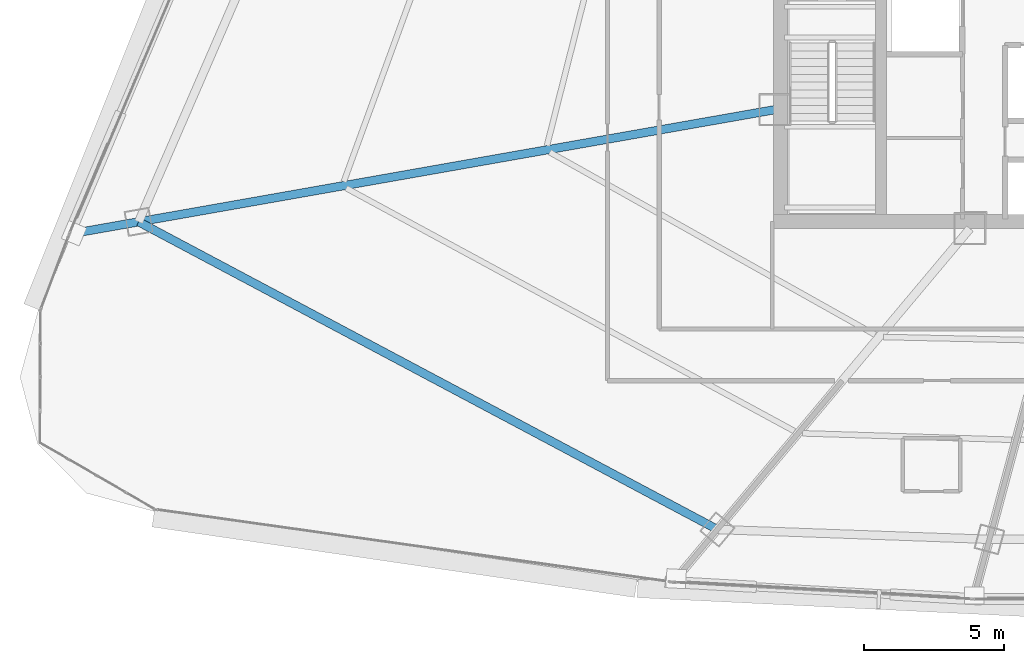
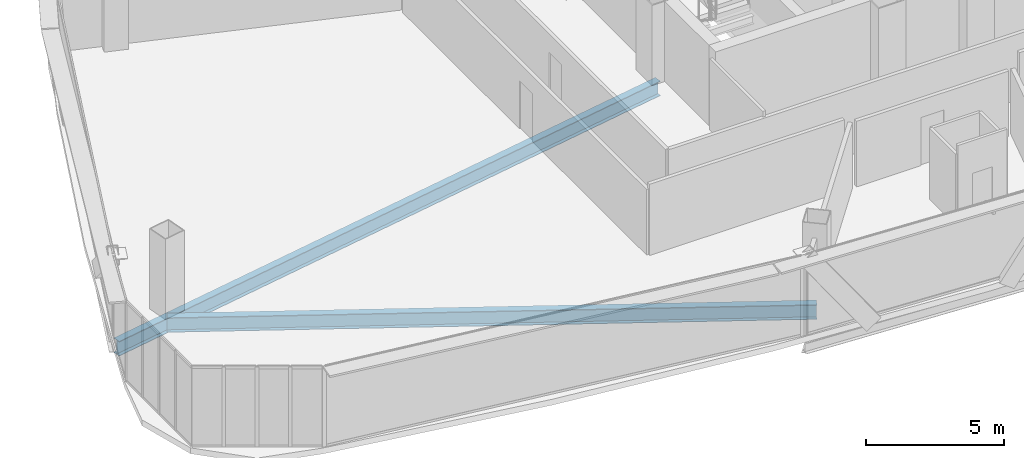
# One storey, part 5 of 40: 2 beams.
"""IFC4 building model written with IfcOpenShell, lengths in metres."""

from ifc_helpers import new_model, si_unit, direction, frame, origin, origin_2d, place, context, subcontext, project, spatial, i_section, extrude, source, transform, mapped, material, material_profile, profile_set, type_object, element, save


model = new_model("IFC4")

# Units and contexts
model_context = context("Model", 3, precision=1e-05, world=origin(), true_north=direction((0.0, 1.0)))
body_context = subcontext(model_context, "Body", "Model", "MODEL_VIEW")
ifc_project = project(units=[si_unit("LENGTHUNIT", "METRE"), si_unit("AREAUNIT", "SQUARE_METRE"), si_unit("VOLUMEUNIT", "CUBIC_METRE"), si_unit("PLANEANGLEUNIT", "RADIAN"), si_unit("MASSUNIT", "GRAM", prefix="KILO"), si_unit("THERMODYNAMICTEMPERATUREUNIT", "KELVIN"), si_unit("POWERUNIT", "WATT")], contexts=[model_context])

# Site, building, storey
site_placement = place(None, origin())
site = spatial("IfcSite", under=ifc_project, at=site_placement, CompositionType="ELEMENT")
building_placement = place(site_placement, origin())
building = spatial("IfcBuilding", under=site, at=building_placement, Name="Yunzhuo Pagoda Commons", CompositionType="ELEMENT")
storey_placement = place(building_placement, frame((0.0, 0.0, 188.56005859375)))
storey = spatial("IfcBuildingStorey", under=building, at=storey_placement, Name="L47", CompositionType="ELEMENT", Elevation=188.56005859375)

# Beams
ifc_material = material(Name="Structural steel Q355B", Category="steel")
ifc_material_profile = material_profile(ifc_material, i_section(OverallWidth=0.300048828125, OverallDepth=0.64990234375, WebThickness=0.012939453125, FlangeThickness=0.02197265625, at=origin_2d()), Name="Structural steel Q355B")
ifc_profile_set = profile_set([ifc_material_profile], Name="Structural steel Q355B")
beam_type = type_object("IfcBeamType", Name="B-RG2 Beam HN 650x300x13x22", PredefinedType="BEAM", material=ifc_profile_set)
shared_shape_1 = source(origin(), body_context, "Body", "SweptSolid", [
    extrude(i_section(OverallWidth=0.300048828125, OverallDepth=0.64990234375, WebThickness=0.012939453125, FlangeThickness=0.02197265625, at=origin_2d()), origin(), (0.0, 0.0, 1.0), 23.49365234375),
])
beam_1_placement = place(storey_placement, frame((12.79345703125, 27.492431640625, -0.5849609375), z_axis=(0.883016269865, -0.469342377325, 0.0), x_axis=(0.469342377325, 0.883016269865, 0.0)))
element("IfcBeam", 1, at=beam_1_placement, inside=storey, type_object=beam_type, Name="L47 column-ring beam 12", PredefinedType="BEAM", context=body_context, shape_type="MappedRepresentation", body=[
    mapped(shared_shape_1, transform((0.0, 0.0, 0.0), scale=1.0)),
])
shared_shape_2 = source(origin(), body_context, "Body", "SweptSolid", [
    extrude(i_section(OverallWidth=0.300048828125, OverallDepth=0.64990234375, WebThickness=0.012939453125, FlangeThickness=0.02197265625, at=origin_2d()), origin(), (0.0, 0.0, 1.0), 25.52734375),
])
beam_2_placement = place(storey_placement, frame((10.46044921875, 27.0810546875, -0.5849609375), z_axis=(0.984810601719, 0.173632021076, 0.0), x_axis=(-0.173632021076, 0.984810601719, 0.0)))
element("IfcBeam", 2, at=beam_2_placement, inside=storey, type_object=beam_type, Name="L47 radial floor girder F3C4", PredefinedType="BEAM", context=body_context, shape_type="MappedRepresentation", body=[
    mapped(shared_shape_2, transform((0.0, 0.0, 0.0), scale=1.0)),
])

save(model, "model.ifc")
